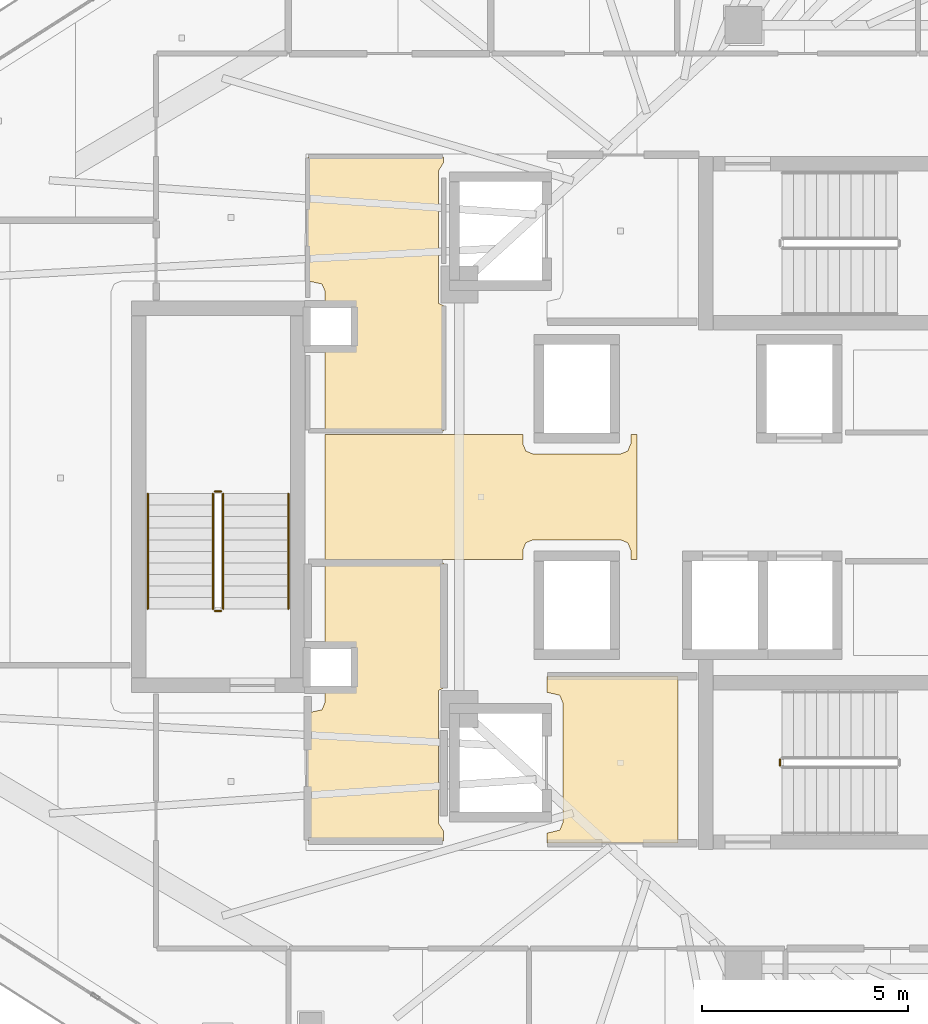
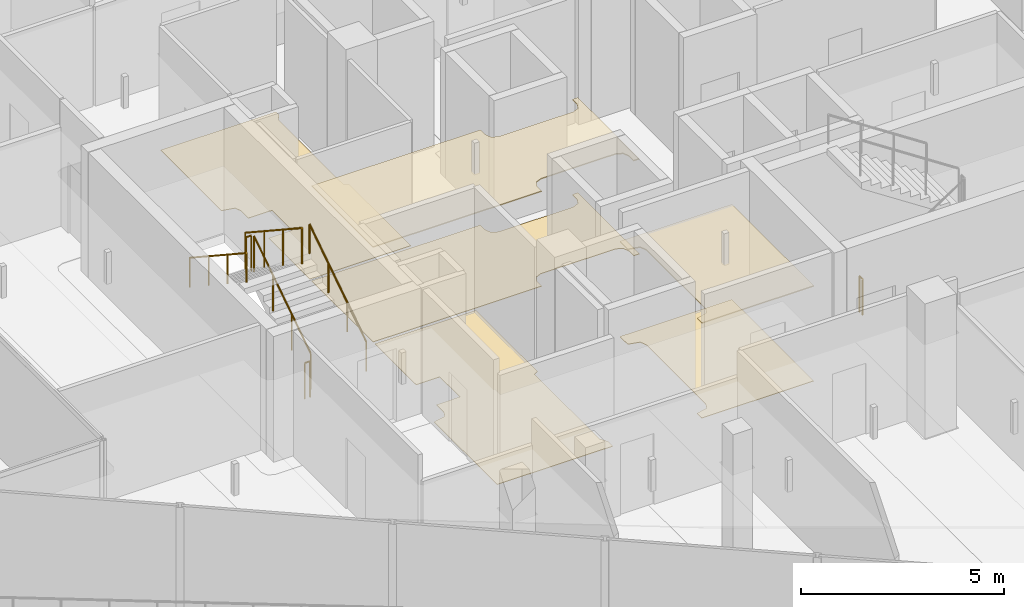
# One storey, part 28 of 32: 7 railings, 6 coverings.
"""IFC4 building model written with IfcOpenShell, lengths in metres."""

from ifc_helpers import new_model, si_unit, direction, frame, origin, origin_2d, place, context, subcontext, project, spatial, polyline, circle, outline, extrude, material, layer, layer_set, type_object, element, save


model = new_model("IFC4")

# Units and contexts
model_context = context("Model", 3, precision=1e-05, world=origin(), true_north=direction((0.0, 1.0)))
body_context = subcontext(model_context, "Body", "Model", "MODEL_VIEW")
ifc_project = project(units=[si_unit("LENGTHUNIT", "METRE"), si_unit("AREAUNIT", "SQUARE_METRE"), si_unit("VOLUMEUNIT", "CUBIC_METRE"), si_unit("PLANEANGLEUNIT", "RADIAN"), si_unit("MASSUNIT", "GRAM", prefix="KILO")], contexts=[model_context])

# Site, building, storey
site_placement = place(None, origin())
site = spatial("IfcSite", under=ifc_project, at=site_placement, CompositionType="ELEMENT")
building_placement = place(site_placement, origin())
building = spatial("IfcBuilding", under=site, at=building_placement, Name="Qorvath Tower", CompositionType="ELEMENT")
storey_placement = place(building_placement, frame((0.0, 0.0, 233.39990234375)))
storey = spatial("IfcBuildingStorey", under=building, at=storey_placement, Name="L54", CompositionType="ELEMENT", Elevation=233.39990234375)

# Coverings
ifc_material_1 = material(Name="Acoustic mineral fibre ceiling tile", Category="gypsum")
ifc_layer_1 = layer(ifc_material_1, 0.030029296875)
ifc_layer_set_1 = layer_set([ifc_layer_1], Name="COV-CEIL")
covering_type_1 = type_object("IfcCoveringType", Name="COV-CEIL", PredefinedType="CEILING", material=ifc_layer_set_1)
covering_1_placement = place(storey_placement, frame((0.0, 0.0, 2.85009765625)))
element("IfcCovering", 1, at=covering_1_placement, inside=storey, type_object=covering_type_1, Name="L54 Suspended Acoustic Ceiling 002", PredefinedType="CEILING", context=body_context, shape_type="SweptSolid", body=[
    extrude(outline(polyline([(-25.18994140625, -8.39501953125), (-25.18994140625, -4.35498046875), (-28.375, -4.35498046875), (-28.375, -4.739990234375), (-28.063232421875, -4.813232421875), (-27.989990234375, -4.989990234375), (-27.989990234375, -7.909912109375), (-28.063232421875, -8.086669921875), (-28.375, -8.159912109375), (-28.375, -8.39501953125), (-25.18994140625, -8.39501953125)])), origin(), (0.0, 0.0, 1.0), 0.030029296875),
])
covering_2_placement = place(storey_placement, frame((0.0, 0.0, 2.85009765625)))
element("IfcCovering", 2, at=covering_2_placement, inside=storey, type_object=covering_type_1, Name="L54 Suspended Acoustic Ceiling 009", PredefinedType="CEILING", context=body_context, shape_type="SweptSolid", body=[
    extrude(outline(polyline([(-26.183349609375, -1.514892578125), (-26.183349609375, 1.514892578125), (-26.340087890625, 1.514892578125), (-26.340087890625, 1.2900390625), (-26.413330078125, 1.11328125), (-26.590087890625, 1.0400390625), (-28.7099609375, 1.0400390625), (-28.88671875, 1.11328125), (-28.9599609375, 1.2900390625), (-28.9599609375, 1.514892578125), (-33.760009765625, 1.514892578125), (-33.760009765625, -1.514892578125), (-28.9599609375, -1.514892578125), (-28.9599609375, -1.2900390625), (-28.88671875, -1.11328125), (-28.7099609375, -1.0400390625), (-26.590087890625, -1.0400390625), (-26.413330078125, -1.11328125), (-26.340087890625, -1.2900390625), (-26.340087890625, -1.514892578125), (-26.183349609375, -1.514892578125)])), origin(), (0.0, 0.0, 1.0), 0.030029296875),
])
ifc_material_2 = material(Name="Low-VOC modular carpet tile", Category="textile")
ifc_layer_2 = layer(ifc_material_2, 0.014892578125)
ifc_layer_set_2 = layer_set([ifc_layer_2], Name="COV-FLOOR-CPT")
covering_type_2 = type_object("IfcCoveringType", Name="COV-FLOOR-CPT", PredefinedType="FLOORING", material=ifc_layer_set_2)
covering_3_placement = place(storey_placement, origin())
element("IfcCovering", 3, at=covering_3_placement, inside=storey, type_object=covering_type_2, Name="L54 Floor Finish 006", PredefinedType="FLOORING", context=body_context, shape_type="SweptSolid", body=[
    extrude(outline(polyline([(-30.885009765625, -1.60498046875), (-33.760009765625, -1.60498046875), (-33.760009765625, -3.636962890625), (-33.08837890625, -3.638427734375), (-33.0869140625, -4.6279296875), (-33.760009765625, -4.633056640625), (-33.760009765625, -4.989990234375), (-33.833251953125, -5.166748046875), (-34.175048828125, -5.239990234375), (-34.175048828125, -8.344970703125), (-30.885009765625, -8.344970703125), (-30.885009765625, -8.108154296875), (-31.010009765625, -7.909912109375), (-31.010009765625, -4.989990234375), (-31.010009765625, -4.699951171875), (-30.885009765625, -4.639892578125), (-30.885009765625, -1.60498046875)])), origin(), (0.0, 0.0, 1.0), 0.01513671875),
])
ifc_material_3 = material(Name="Polished epoxy terrazzo flooring", Category="concrete")
ifc_layer_3 = layer(ifc_material_3, 0.02001953125)
ifc_layer_set_3 = layer_set([ifc_layer_3], Name="COV-FLOOR-TRZ")
covering_type_3 = type_object("IfcCoveringType", Name="COV-FLOOR-TRZ", PredefinedType="FLOORING", material=ifc_layer_set_3)
covering_4_placement = place(storey_placement, origin())
element("IfcCovering", 4, at=covering_4_placement, inside=storey, type_object=covering_type_3, Name="L54 Floor Finish 002", PredefinedType="FLOORING", context=body_context, shape_type="SweptSolid", body=[
    extrude(outline(polyline([(-25.18994140625, -8.39501953125), (-25.18994140625, -4.35498046875), (-28.375, -4.35498046875), (-28.375, -4.739990234375), (-28.063232421875, -4.813232421875), (-27.989990234375, -4.989990234375), (-27.989990234375, -7.909912109375), (-28.063232421875, -8.086669921875), (-28.375, -8.159912109375), (-28.375, -8.39501953125), (-25.18994140625, -8.39501953125)])), origin(), (0.0, 0.0, 1.0), 0.01513671875),
])
covering_5_placement = place(storey_placement, origin())
element("IfcCovering", 5, at=covering_5_placement, inside=storey, type_object=covering_type_3, Name="L54 Floor Finish 005", PredefinedType="FLOORING", context=body_context, shape_type="SweptSolid", body=[
    extrude(outline(polyline([(-30.885009765625, 8.2451171875), (-34.175048828125, 8.2451171875), (-34.175048828125, 5.239990234375), (-33.833251953125, 5.166748046875), (-33.760009765625, 4.989990234375), (-33.760009765625, 4.633056640625), (-33.0869140625, 4.6279296875), (-33.08837890625, 3.638427734375), (-33.760009765625, 3.636962890625), (-33.760009765625, 1.60498046875), (-30.885009765625, 1.60498046875), (-30.885009765625, 4.639892578125), (-31.010009765625, 4.699951171875), (-31.010009765625, 7.909912109375), (-30.885009765625, 8.108154296875), (-30.885009765625, 8.2451171875)])), origin(), (0.0, 0.0, 1.0), 0.01513671875),
])
covering_6_placement = place(storey_placement, origin())
element("IfcCovering", 6, at=covering_6_placement, inside=storey, type_object=covering_type_3, Name="L54 Floor Finish 009", PredefinedType="FLOORING", context=body_context, shape_type="SweptSolid", body=[
    extrude(outline(polyline([(-26.183349609375, -1.514892578125), (-26.183349609375, 1.514892578125), (-26.340087890625, 1.514892578125), (-26.340087890625, 1.2900390625), (-26.413330078125, 1.11328125), (-26.590087890625, 1.0400390625), (-28.7099609375, 1.0400390625), (-28.88671875, 1.11328125), (-28.9599609375, 1.2900390625), (-28.9599609375, 1.514892578125), (-33.760009765625, 1.514892578125), (-33.760009765625, -1.514892578125), (-28.9599609375, -1.514892578125), (-28.9599609375, -1.2900390625), (-28.88671875, -1.11328125), (-28.7099609375, -1.0400390625), (-26.590087890625, -1.0400390625), (-26.413330078125, -1.11328125), (-26.340087890625, -1.2900390625), (-26.340087890625, -1.514892578125), (-26.183349609375, -1.514892578125)])), origin(), (0.0, 0.0, 1.0), 0.01513671875),
])

# Railings
ifc_material_4 = material(Name="Painted galvanised steel", Category="steel")
railing_type_1 = type_object("IfcRailingType", Name="RL-STR-GRD", PredefinedType="GUARDRAIL", material=ifc_material_4)
railing_1_placement = place(storey_placement, frame((-22.719970703125, -6.52001953125, 0.0)))
element("IfcRailing", 7, at=railing_1_placement, inside=storey, type_object=railing_type_1, Name="L54 TS2 stair guard 4", PredefinedType="GUARDRAIL", context=body_context, shape_type="SweptSolid", body=[
    extrude(circle(Radius=0.02392578125, at=origin_2d()), frame((0.0, 0.0, 1.076171875), z_axis=(0.0, 1.0, 0.0), x_axis=(-1.0, 0.0, 0.0)), (0.0, 0.0, 1.0), 0.14990234375),
    extrude(circle(Radius=0.02099609375, at=origin_2d()), origin(), (0.0, 0.0, 1.0), 1.052001953125),
    extrude(circle(Radius=0.02099609375, at=origin_2d()), frame((0.0, 0.14990234375, 0.0)), (0.0, 0.0, 1.0), 1.052001953125),
])
railing_2_placement = place(storey_placement, frame((-36.22998046875, -2.719970703125, 0.18408203125)))
element("IfcRailing", 8, at=railing_2_placement, inside=storey, type_object=railing_type_1, Name="L54 TS3 stair guard 1", PredefinedType="GUARDRAIL", context=body_context, shape_type="SweptSolid", body=[
    extrude(circle(Radius=0.02392578125, at=origin_2d()), frame((0.0, 0.0, 1.076171875), z_axis=(0.0, 0.83556406348, 0.549393024911), x_axis=(-1.0, 0.0, 0.0)), (0.0, 0.0, 1.0), 3.35107421875),
    extrude(circle(Radius=0.02099609375, at=origin_2d()), origin(), (0.0, 0.0, 1.0), 1.052001953125),
    extrude(circle(Radius=0.02099609375, at=origin_2d()), frame((0.0, 0.933349609375, 0.61376953125)), (0.0, 0.0, 1.0), 1.052001953125),
    extrude(circle(Radius=0.02099609375, at=origin_2d()), frame((0.0, 1.86669921875, 1.227294921875)), (0.0, 0.0, 1.0), 1.052001953125),
    extrude(circle(Radius=0.02099609375, at=origin_2d()), frame((0.0, 2.800048828125, 1.841064453125)), (0.0, 0.0, 1.0), 1.052001953125),
])
railing_3_placement = place(storey_placement, frame((-36.280029296875, 0.1298828125, 2.025146484375)))
element("IfcRailing", 9, at=railing_3_placement, inside=storey, type_object=railing_type_1, Name="L54 TS3 stair guard 2", PredefinedType="GUARDRAIL", context=body_context, shape_type="SweptSolid", body=[
    extrude(circle(Radius=0.02392578125, at=origin_2d()), frame((0.0, 0.0, 1.076171875), z_axis=(-1.0, 0.0, 0.0), x_axis=(0.0, -1.0, 0.0)), (0.0, 0.0, 1.0), 0.14990234375),
    extrude(circle(Radius=0.02099609375, at=origin_2d()), origin(), (0.0, 0.0, 1.0), 1.052001953125),
    extrude(circle(Radius=0.02099609375, at=origin_2d()), frame((-0.14990234375, 0.0, 0.0)), (0.0, 0.0, 1.0), 1.052001953125),
])
railing_4_placement = place(storey_placement, frame((-36.47998046875, 0.080078125, 2.209228515625)))
element("IfcRailing", 10, at=railing_4_placement, inside=storey, type_object=railing_type_1, Name="L54 TS3 stair guard 3", PredefinedType="GUARDRAIL", context=body_context, shape_type="SweptSolid", body=[
    extrude(circle(Radius=0.02392578125, at=origin_2d()), frame((0.0, 0.0, 1.076171875), z_axis=(0.0, -0.835597507184, 0.549342157483), x_axis=(1.0, 0.0, 0.0)), (0.0, 0.0, 1.0), 3.35107421875),
    extrude(circle(Radius=0.02099609375, at=origin_2d()), origin(), (0.0, 0.0, 1.0), 1.052001953125),
    extrude(circle(Radius=0.02099609375, at=origin_2d()), frame((0.0, -0.933349609375, 0.613525390625)), (0.0, 0.0, 1.0), 1.052001953125),
    extrude(circle(Radius=0.02099609375, at=origin_2d()), frame((0.0, -1.86669921875, 1.227294921875)), (0.0, 0.0, 1.0), 1.052001953125),
    extrude(circle(Radius=0.02099609375, at=origin_2d()), frame((0.0, -2.800048828125, 1.8408203125)), (0.0, 0.0, 1.0), 1.052001953125),
])
railing_5_placement = place(storey_placement, frame((-36.280029296875, -2.77001953125, 0.0)))
element("IfcRailing", 11, at=railing_5_placement, inside=storey, type_object=railing_type_1, Name="L54 TS3 stair guard 4", PredefinedType="GUARDRAIL", context=body_context, shape_type="SweptSolid", body=[
    extrude(circle(Radius=0.02392578125, at=origin_2d()), frame((0.0, 0.0, 1.076171875), z_axis=(-1.0, 0.0, 0.0), x_axis=(0.0, -1.0, 0.0)), (0.0, 0.0, 1.0), 0.14990234375),
    extrude(circle(Radius=0.02099609375, at=origin_2d()), origin(), (0.0, 0.0, 1.0), 1.052001953125),
    extrude(circle(Radius=0.02099609375, at=origin_2d()), frame((-0.14990234375, 0.0, 0.0)), (0.0, 0.0, 1.0), 1.052001953125),
])
ifc_material_5 = material(Name="Brushed stainless steel AISI 304", Category="steel")
railing_type_2 = type_object("IfcRailingType", Name="RL-STR-HND", PredefinedType="HANDRAIL", material=ifc_material_5)
railing_6_placement = place(storey_placement, frame((-34.64990234375, -2.719970703125, 0.18408203125)))
element("IfcRailing", 12, at=railing_6_placement, inside=storey, type_object=railing_type_2, Name="L54 TS3 stair handrail 1", PredefinedType="HANDRAIL", context=body_context, shape_type="SweptSolid", body=[
    extrude(circle(Radius=0.02392578125, at=origin_2d()), frame((0.0, 0.0, 0.8759765625), z_axis=(0.0, 0.83556406348, 0.549393024911), x_axis=(-1.0, 0.0, 0.0)), (0.0, 0.0, 1.0), 3.35107421875),
    extrude(circle(Radius=0.02099609375, at=origin_2d()), origin(), (0.0, 0.0, 1.0), 0.851806640625),
    extrude(circle(Radius=0.02099609375, at=origin_2d()), frame((0.0, 0.933349609375, 0.61376953125)), (0.0, 0.0, 1.0), 0.851806640625),
    extrude(circle(Radius=0.02099609375, at=origin_2d()), frame((0.0, 1.86669921875, 1.227294921875)), (0.0, 0.0, 1.0), 0.851806640625),
    extrude(circle(Radius=0.02099609375, at=origin_2d()), frame((0.0, 2.800048828125, 1.841064453125)), (0.0, 0.0, 1.0), 0.851806640625),
])
railing_7_placement = place(storey_placement, frame((-38.06005859375, 0.080078125, 2.209228515625)))
element("IfcRailing", 13, at=railing_7_placement, inside=storey, type_object=railing_type_2, Name="L54 TS3 stair handrail 2", PredefinedType="HANDRAIL", context=body_context, shape_type="SweptSolid", body=[
    extrude(circle(Radius=0.02392578125, at=origin_2d()), frame((0.0, 0.0, 0.8759765625), z_axis=(0.0, -0.835597507184, 0.549342157483), x_axis=(1.0, 0.0, 0.0)), (0.0, 0.0, 1.0), 3.35107421875),
    extrude(circle(Radius=0.02099609375, at=origin_2d()), origin(), (0.0, 0.0, 1.0), 0.851806640625),
    extrude(circle(Radius=0.02099609375, at=origin_2d()), frame((0.0, -0.933349609375, 0.613525390625)), (0.0, 0.0, 1.0), 0.851806640625),
    extrude(circle(Radius=0.02099609375, at=origin_2d()), frame((0.0, -1.86669921875, 1.227294921875)), (0.0, 0.0, 1.0), 0.851806640625),
    extrude(circle(Radius=0.02099609375, at=origin_2d()), frame((0.0, -2.800048828125, 1.8408203125)), (0.0, 0.0, 1.0), 0.851806640625),
])

save(model, "model.ifc")
